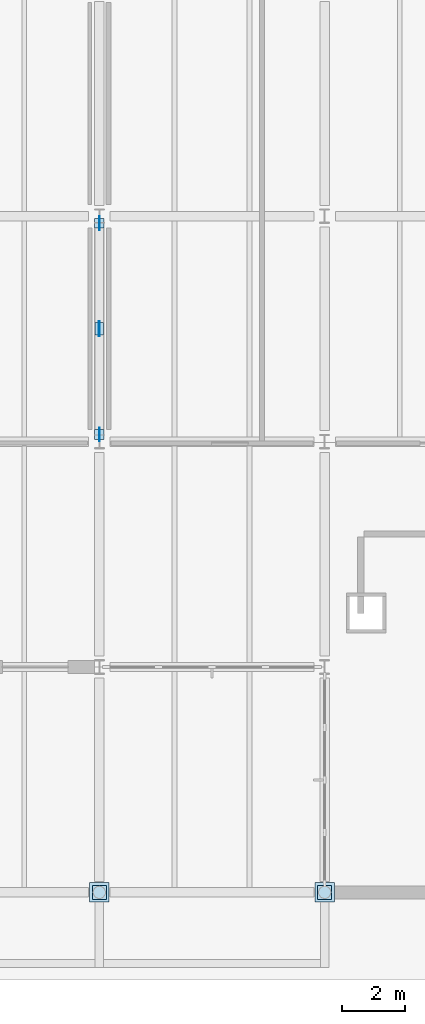
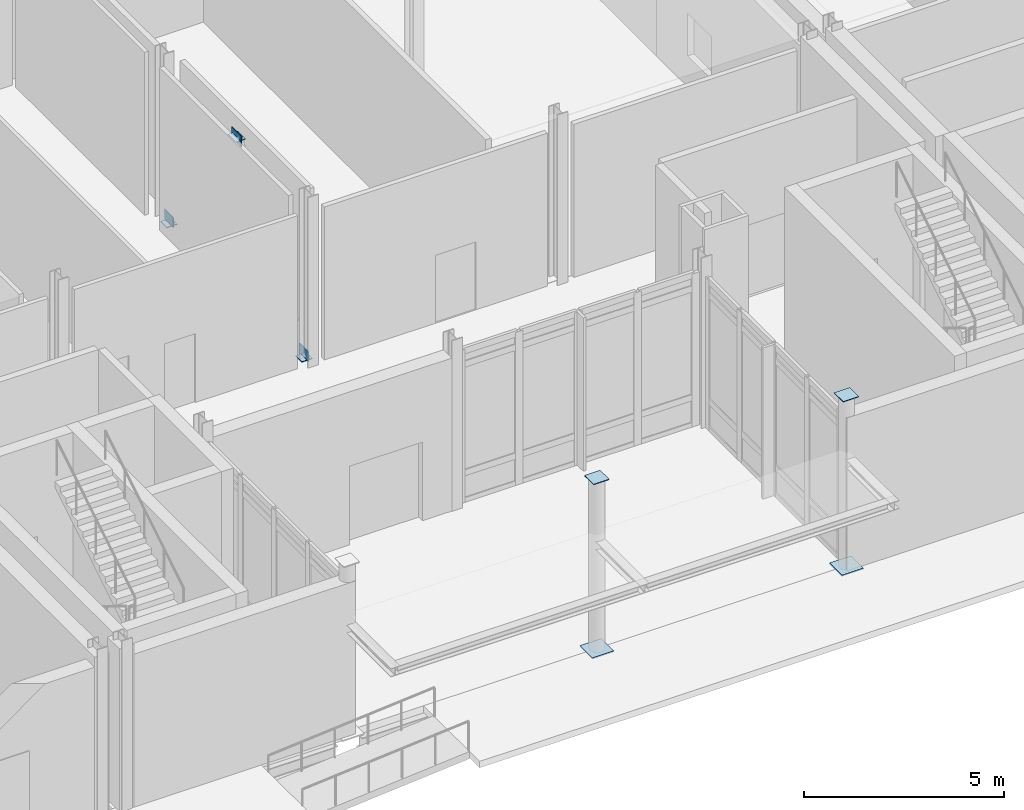
# One storey, part 51 of 89: 10 plates.
"""IFC4 building model written with IfcOpenShell, lengths in metres."""

from ifc_helpers import new_model, si_unit, direction, frame, origin, origin_2d, place, context, subcontext, project, spatial, rectangle, extrude, material, layer, layer_set, type_object, element, save


model = new_model("IFC4")

# Units and contexts
model_context = context("Model", 3, precision=1e-05, world=origin(), true_north=direction((0.0, 1.0)))
body_context = subcontext(model_context, "Body", "Model", "MODEL_VIEW")
ifc_project = project(units=[si_unit("LENGTHUNIT", "METRE"), si_unit("AREAUNIT", "SQUARE_METRE"), si_unit("VOLUMEUNIT", "CUBIC_METRE"), si_unit("PLANEANGLEUNIT", "RADIAN"), si_unit("MASSUNIT", "GRAM", prefix="KILO")], contexts=[model_context])

# Site, building, storey
site_placement = place(None, origin())
site = spatial("IfcSite", under=ifc_project, at=site_placement, CompositionType="ELEMENT")
building_placement = place(site_placement, origin())
building = spatial("IfcBuilding", under=site, at=building_placement, Name="Zarrinpeak Specialist Clinic", CompositionType="ELEMENT")
storey_placement = place(building_placement, origin())
storey = spatial("IfcBuildingStorey", under=building, at=storey_placement, Name="L00", CompositionType="ELEMENT", Elevation=0.0)

# Plates
ifc_material = material(Name="Steel S355", Category="steel")
ifc_layer_1 = layer(ifc_material, 0.035888671875)
ifc_layer_set_1 = layer_set([ifc_layer_1], Name="Steel S355")
plate_type_1 = type_object("IfcPlateType", Name="PL-BP500", PredefinedType="SHEET", material=ifc_layer_set_1)
for number, where, z_axis, x_axis, name in (
    (1, (43.199951171875, 0.0, -0.03173828125), (0.0, 0.0, 1.0), (1.0, 0.0, 0.0), "L00 Hollow Column Baseplate CCAP-B-004"),
    (2, (50.39990234375, 0.0, -0.03173828125), (0.0, 0.0, 1.0), (1.0, 0.0, 0.0), "L00 Hollow Column Baseplate CCAP-B-006"),
):
    element("IfcPlate", number, at=place(storey_placement, frame(where, z_axis=z_axis, x_axis=x_axis)), inside=storey, type_object=plate_type_1, Name=name, PredefinedType="SHEET", context=body_context, shape_type="SweptSolid", body=[
        extrude(rectangle(XDim=0.6201171875, YDim=0.6201171875, at=origin_2d()), origin(), (0.0, 0.0, 1.0), 0.035888671875),
    ])
ifc_layer_2 = layer(ifc_material, 0.01806640625)
ifc_layer_set_2 = layer_set([ifc_layer_2], Name="Steel S355")
plate_type_2 = type_object("IfcPlateType", Name="PL-CAP273", PredefinedType="SHEET", material=ifc_layer_set_2)
for number, where, z_axis, x_axis, name in (
    (3, (43.199951171875, 14.625, 0.0), (0.0, 0.0, 1.0), (1.0, 0.0, 0.0), "V2 L00 Hollow Brace Foot Cap Plate A"),
    (4, (43.199951171875, 21.375, 0.0), (0.0, 0.0, 1.0), (1.0, 0.0, 0.0), "V2 L00 Hollow Brace Foot Cap Plate B"),
):
    element("IfcPlate", number, at=place(storey_placement, frame(where, z_axis=z_axis, x_axis=x_axis)), inside=storey, type_object=plate_type_2, Name=name, PredefinedType="SHEET", context=body_context, shape_type="SweptSolid", body=[
        extrude(rectangle(XDim=0.31005859375, YDim=0.31005859375, at=origin_2d()), origin(), (0.0, 0.0, 1.0), 0.01806640625),
    ])
ifc_layer_3 = layer(ifc_material, 0.02197265625)
ifc_layer_set_3 = layer_set([ifc_layer_3], Name="Steel S355")
plate_type_3 = type_object("IfcPlateType", Name="PL-CAP406", PredefinedType="SHEET", material=ifc_layer_set_3)
for number, where, z_axis, x_axis, name in (
    (5, (43.199951171875, 0.0, 5.196044921875), (0.0, 0.0, 1.0), (1.0, 0.0, 0.0), "L00 Hollow Column Top Cap Plate CCAP-T-003"),
    (6, (50.39990234375, 0.0, 5.196044921875), (0.0, 0.0, 1.0), (1.0, 0.0, 0.0), "L00 Hollow Column Top Cap Plate CCAP-T-005"),
):
    element("IfcPlate", number, at=place(storey_placement, frame(where, z_axis=z_axis, x_axis=x_axis)), inside=storey, type_object=plate_type_3, Name=name, PredefinedType="SHEET", context=body_context, shape_type="SweptSolid", body=[
        extrude(rectangle(XDim=0.449951171875, YDim=0.449951171875, at=origin_2d()), origin(), (0.0, 0.0, 1.0), 0.02197265625),
    ])
ifc_layer_4 = layer(ifc_material, 0.02001953125)
ifc_layer_set_4 = layer_set([ifc_layer_4], Name="Steel S355")
plate_type_4 = type_object("IfcPlateType", Name="PL-GN01", PredefinedType="SHEET", material=ifc_layer_set_4)
plate_1_placement = place(storey_placement, frame((43.199951171875, 18.0, 4.509765625), z_axis=(0.0, 0.0, 1.0), x_axis=(1.0, 0.0, 0.0)))
element("IfcPlate", 7, at=plate_1_placement, inside=storey, type_object=plate_type_4, Name="V2 L00 Chevron Gusset Node Plate GN-V2-L00", PredefinedType="SHEET", context=body_context, shape_type="SweptSolid", body=[
    extrude(rectangle(XDim=0.02001953125, YDim=0.47998046875, at=origin_2d()), origin(), (0.0, 0.0, 1.0), 0.340087890625),
])
ifc_layer_5 = layer(ifc_material, 0.01611328125)
ifc_layer_set_5 = layer_set([ifc_layer_5], Name="Steel S355")
plate_type_5 = type_object("IfcPlateType", Name="PL-GN02", PredefinedType="SHEET", material=ifc_layer_set_5)
plate_2_placement = place(storey_placement, frame((43.199951171875, 18.0, 4.677978515625), z_axis=(0.0, 0.0, 1.0), x_axis=(1.0, 0.0, 0.0)))
element("IfcPlate", 8, at=plate_2_placement, inside=storey, type_object=plate_type_5, Name="V2 L00 Chevron Apex Seal Plate GNCAP-V2-L00", PredefinedType="SHEET", context=body_context, shape_type="SweptSolid", body=[
    extrude(rectangle(XDim=0.280029296875, YDim=0.39990234375, at=origin_2d()), origin(), (0.0, 0.0, 1.0), 0.01611328125),
])
ifc_layer_6 = layer(ifc_material, 0.01806640625)
ifc_layer_set_6 = layer_set([ifc_layer_6], Name="Steel S355")
plate_type_6 = type_object("IfcPlateType", Name="PL-GN03", PredefinedType="SHEET", material=ifc_layer_set_6)
for number, where, z_axis, x_axis, name in (
    (9, (43.199951171875, 14.625, 0.0048828125), (0.0, 0.0, 1.0), (1.0, 0.0, 0.0), "V2 L00 Brace Foot Gusset Plate GNF-V2-L00-A"),
    (10, (43.199951171875, 21.375, 0.0048828125), (0.0, 0.0, 1.0), (1.0, 0.0, 0.0), "V2 L00 Brace Foot Gusset Plate GNF-V2-L00-B"),
):
    element("IfcPlate", number, at=place(storey_placement, frame(where, z_axis=z_axis, x_axis=x_axis)), inside=storey, type_object=plate_type_6, Name=name, PredefinedType="SHEET", context=body_context, shape_type="SweptSolid", body=[
        extrude(rectangle(XDim=0.01806640625, YDim=0.43994140625, at=origin_2d()), origin(), (0.0, 0.0, 1.0), 0.31005859375),
    ])

save(model, "model.ifc")
